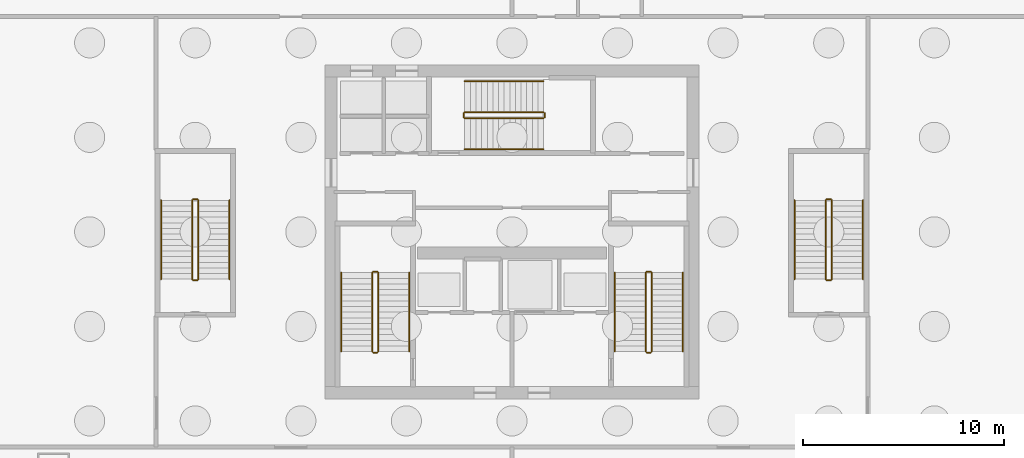
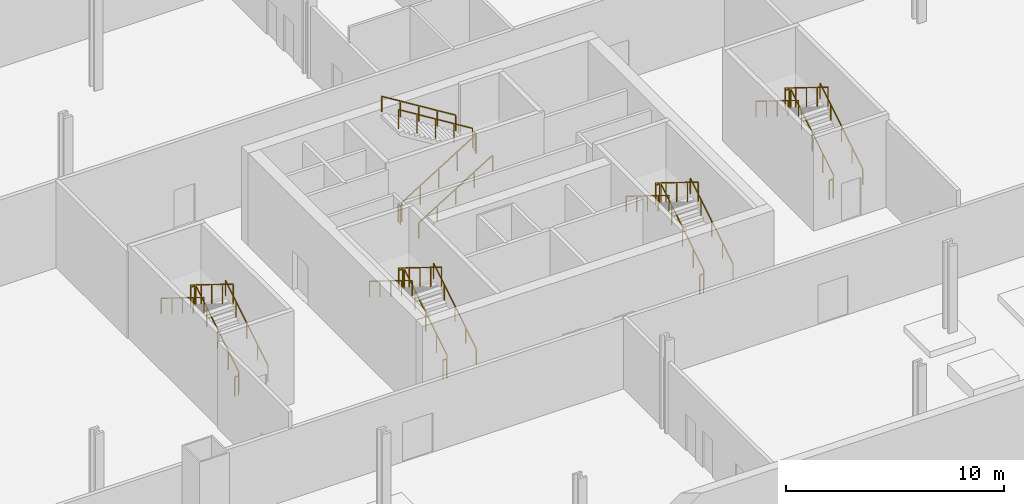
# One storey, part 7 of 8: 30 railings.
"""IFC4 building model written with IfcOpenShell, lengths in metres."""

from ifc_helpers import new_model, si_unit, direction, frame, origin, origin_2d, place, context, subcontext, project, spatial, rectangle, extrude, material, type_object, element, save


model = new_model("IFC4")

# Units and contexts
model_context = context("Model", 3, precision=1e-05, world=origin(), true_north=direction((0.0, 1.0)))
body_context = subcontext(model_context, "Body", "Model", "MODEL_VIEW")
ifc_project = project(units=[si_unit("LENGTHUNIT", "METRE"), si_unit("AREAUNIT", "SQUARE_METRE"), si_unit("VOLUMEUNIT", "CUBIC_METRE"), si_unit("PLANEANGLEUNIT", "RADIAN"), si_unit("MASSUNIT", "GRAM", prefix="KILO")], contexts=[model_context])

# Site, building, storey
site_placement = place(None, origin())
site = spatial("IfcSite", under=ifc_project, at=site_placement, CompositionType="ELEMENT")
building_placement = place(site_placement, origin())
building = spatial("IfcBuilding", under=site, at=building_placement, Name="Haldenkirk Collegiate Tower", CompositionType="ELEMENT")
storey_placement = place(building_placement, frame((0.0, 0.0, -5.199951171875)))
storey = spatial("IfcBuildingStorey", under=building, at=storey_placement, Name="B1", CompositionType="ELEMENT", Elevation=-5.199951171875)

# Railings
ifc_material = material(Name="Painted architectural tubular steel", Category="steel")
railing_type_1 = type_object("IfcRailingType", Name="RLG-STAIR-GUARD-1100", PredefinedType="BALUSTRADE", material=ifc_material)
railing_1_placement = place(storey_placement, frame((29.35009765625, 20.050048828125, 0.17333984375)))
element("IfcRailing", 1, at=railing_1_placement, inside=storey, type_object=railing_type_1, Name="B1 ST-1 stair guard 1", PredefinedType="BALUSTRADE", context=body_context, shape_type="SweptSolid", body=[
    extrude(rectangle(XDim=0.048095703125, YDim=0.048095703125, at=origin_2d()), frame((0.0, 0.0, 1.076171875), z_axis=(0.0, 0.850275303828, 0.526338206574), x_axis=(-1.0, 0.0, 0.0)), (0.0, 0.0, 1.0), 4.610107421875),
    extrude(rectangle(XDim=0.0419921875, YDim=0.0419921875, at=origin_2d()), origin(), (0.0, 0.0, 1.0), 1.052001953125),
    extrude(rectangle(XDim=0.0419921875, YDim=0.0419921875, at=origin_2d()), frame((0.0, 0.97998046875, 0.606689453125)), (0.0, 0.0, 1.0), 1.052001953125),
    extrude(rectangle(XDim=0.0419921875, YDim=0.0419921875, at=origin_2d()), frame((0.0, 1.9599609375, 1.21337890625)), (0.0, 0.0, 1.0), 1.052001953125),
    extrude(rectangle(XDim=0.0419921875, YDim=0.0419921875, at=origin_2d()), frame((0.0, 2.93994140625, 1.81982421875)), (0.0, 0.0, 1.0), 1.052001953125),
    extrude(rectangle(XDim=0.0419921875, YDim=0.0419921875, at=origin_2d()), frame((0.0, 3.919921875, 2.426513671875)), (0.0, 0.0, 1.0), 1.052001953125),
])
railing_2_placement = place(storey_placement, frame((29.300048828125, 24.02001953125, 2.599853515625)))
element("IfcRailing", 2, at=railing_2_placement, inside=storey, type_object=railing_type_1, Name="B1 ST-1 stair guard 2", PredefinedType="BALUSTRADE", context=body_context, shape_type="SweptSolid", body=[
    extrude(rectangle(XDim=0.048095703125, YDim=0.048095703125, at=origin_2d()), frame((0.0, 0.0, 1.076171875), z_axis=(-1.0, 0.0, 0.0), x_axis=(0.0, -1.0, 0.0)), (0.0, 0.0, 1.0), 0.199951171875),
    extrude(rectangle(XDim=0.0419921875, YDim=0.0419921875, at=origin_2d()), origin(), (0.0, 0.0, 1.0), 1.052001953125),
    extrude(rectangle(XDim=0.0419921875, YDim=0.0419921875, at=origin_2d()), frame((-0.199951171875, 0.0, 0.0)), (0.0, 0.0, 1.0), 1.052001953125),
])
railing_3_placement = place(storey_placement, frame((29.050048828125, 23.969970703125, 2.773193359375)))
element("IfcRailing", 3, at=railing_3_placement, inside=storey, type_object=railing_type_1, Name="B1 ST-1 stair guard 3", PredefinedType="BALUSTRADE", context=body_context, shape_type="SweptSolid", body=[
    extrude(rectangle(XDim=0.048095703125, YDim=0.048095703125, at=origin_2d()), frame((0.0, 0.0, 1.076171875), z_axis=(0.0, -0.850251603719, 0.526376491091), x_axis=(1.0, 0.0, 0.0)), (0.0, 0.0, 1.0), 4.6103515625),
    extrude(rectangle(XDim=0.0419921875, YDim=0.0419921875, at=origin_2d()), origin(), (0.0, 0.0, 1.0), 1.052001953125),
    extrude(rectangle(XDim=0.0419921875, YDim=0.0419921875, at=origin_2d()), frame((0.0, -0.97998046875, 0.606689453125)), (0.0, 0.0, 1.0), 1.052001953125),
    extrude(rectangle(XDim=0.0419921875, YDim=0.0419921875, at=origin_2d()), frame((0.0, -1.9599609375, 1.21337890625)), (0.0, 0.0, 1.0), 1.052001953125),
    extrude(rectangle(XDim=0.0419921875, YDim=0.0419921875, at=origin_2d()), frame((0.0, -2.93994140625, 1.820068359375)), (0.0, 0.0, 1.0), 1.052001953125),
    extrude(rectangle(XDim=0.0419921875, YDim=0.0419921875, at=origin_2d()), frame((0.0, -3.919921875, 2.4267578125)), (0.0, 0.0, 1.0), 1.052001953125),
])
railing_4_placement = place(storey_placement, frame((29.300048828125, 20.0, 0.0)))
element("IfcRailing", 4, at=railing_4_placement, inside=storey, type_object=railing_type_1, Name="B1 ST-1 stair guard 4", PredefinedType="BALUSTRADE", context=body_context, shape_type="SweptSolid", body=[
    extrude(rectangle(XDim=0.048095703125, YDim=0.048095703125, at=origin_2d()), frame((0.0, 0.0, 1.076171875), z_axis=(-1.0, 0.0, 0.0), x_axis=(0.0, -1.0, 0.0)), (0.0, 0.0, 1.0), 0.199951171875),
    extrude(rectangle(XDim=0.0419921875, YDim=0.0419921875, at=origin_2d()), origin(), (0.0, 0.0, 1.0), 1.052001953125),
    extrude(rectangle(XDim=0.0419921875, YDim=0.0419921875, at=origin_2d()), frame((-0.199951171875, 0.0, 0.0)), (0.0, 0.0, 1.0), 1.052001953125),
])
railing_5_placement = place(storey_placement, frame((42.949951171875, 20.050048828125, 0.17333984375)))
element("IfcRailing", 5, at=railing_5_placement, inside=storey, type_object=railing_type_1, Name="B1 ST-2 stair guard 1", PredefinedType="BALUSTRADE", context=body_context, shape_type="SweptSolid", body=[
    extrude(rectangle(XDim=0.048095703125, YDim=0.048095703125, at=origin_2d()), frame((0.0, 0.0, 1.076171875), z_axis=(0.0, 0.850275303828, 0.526338206574), x_axis=(-1.0, 0.0, 0.0)), (0.0, 0.0, 1.0), 4.610107421875),
    extrude(rectangle(XDim=0.0419921875, YDim=0.0419921875, at=origin_2d()), origin(), (0.0, 0.0, 1.0), 1.052001953125),
    extrude(rectangle(XDim=0.0419921875, YDim=0.0419921875, at=origin_2d()), frame((0.0, 0.97998046875, 0.606689453125)), (0.0, 0.0, 1.0), 1.052001953125),
    extrude(rectangle(XDim=0.0419921875, YDim=0.0419921875, at=origin_2d()), frame((0.0, 1.9599609375, 1.21337890625)), (0.0, 0.0, 1.0), 1.052001953125),
    extrude(rectangle(XDim=0.0419921875, YDim=0.0419921875, at=origin_2d()), frame((0.0, 2.93994140625, 1.81982421875)), (0.0, 0.0, 1.0), 1.052001953125),
    extrude(rectangle(XDim=0.0419921875, YDim=0.0419921875, at=origin_2d()), frame((0.0, 3.919921875, 2.426513671875)), (0.0, 0.0, 1.0), 1.052001953125),
])
railing_6_placement = place(storey_placement, frame((42.89990234375, 24.02001953125, 2.599853515625)))
element("IfcRailing", 6, at=railing_6_placement, inside=storey, type_object=railing_type_1, Name="B1 ST-2 stair guard 2", PredefinedType="BALUSTRADE", context=body_context, shape_type="SweptSolid", body=[
    extrude(rectangle(XDim=0.048095703125, YDim=0.048095703125, at=origin_2d()), frame((0.0, 0.0, 1.076171875), z_axis=(-1.0, 0.0, 0.0), x_axis=(0.0, -1.0, 0.0)), (0.0, 0.0, 1.0), 0.199951171875),
    extrude(rectangle(XDim=0.0419921875, YDim=0.0419921875, at=origin_2d()), origin(), (0.0, 0.0, 1.0), 1.052001953125),
    extrude(rectangle(XDim=0.0419921875, YDim=0.0419921875, at=origin_2d()), frame((-0.199951171875, 0.0, 0.0)), (0.0, 0.0, 1.0), 1.052001953125),
])
railing_7_placement = place(storey_placement, frame((42.64990234375, 23.969970703125, 2.773193359375)))
element("IfcRailing", 7, at=railing_7_placement, inside=storey, type_object=railing_type_1, Name="B1 ST-2 stair guard 3", PredefinedType="BALUSTRADE", context=body_context, shape_type="SweptSolid", body=[
    extrude(rectangle(XDim=0.048095703125, YDim=0.048095703125, at=origin_2d()), frame((0.0, 0.0, 1.076171875), z_axis=(0.0, -0.850251603719, 0.526376491091), x_axis=(1.0, 0.0, 0.0)), (0.0, 0.0, 1.0), 4.6103515625),
    extrude(rectangle(XDim=0.0419921875, YDim=0.0419921875, at=origin_2d()), origin(), (0.0, 0.0, 1.0), 1.052001953125),
    extrude(rectangle(XDim=0.0419921875, YDim=0.0419921875, at=origin_2d()), frame((0.0, -0.97998046875, 0.606689453125)), (0.0, 0.0, 1.0), 1.052001953125),
    extrude(rectangle(XDim=0.0419921875, YDim=0.0419921875, at=origin_2d()), frame((0.0, -1.9599609375, 1.21337890625)), (0.0, 0.0, 1.0), 1.052001953125),
    extrude(rectangle(XDim=0.0419921875, YDim=0.0419921875, at=origin_2d()), frame((0.0, -2.93994140625, 1.820068359375)), (0.0, 0.0, 1.0), 1.052001953125),
    extrude(rectangle(XDim=0.0419921875, YDim=0.0419921875, at=origin_2d()), frame((0.0, -3.919921875, 2.4267578125)), (0.0, 0.0, 1.0), 1.052001953125),
])
railing_8_placement = place(storey_placement, frame((42.89990234375, 20.0, 0.0)))
element("IfcRailing", 8, at=railing_8_placement, inside=storey, type_object=railing_type_1, Name="B1 ST-2 stair guard 4", PredefinedType="BALUSTRADE", context=body_context, shape_type="SweptSolid", body=[
    extrude(rectangle(XDim=0.048095703125, YDim=0.048095703125, at=origin_2d()), frame((0.0, 0.0, 1.076171875), z_axis=(-1.0, 0.0, 0.0), x_axis=(0.0, -1.0, 0.0)), (0.0, 0.0, 1.0), 0.199951171875),
    extrude(rectangle(XDim=0.0419921875, YDim=0.0419921875, at=origin_2d()), origin(), (0.0, 0.0, 1.0), 1.052001953125),
    extrude(rectangle(XDim=0.0419921875, YDim=0.0419921875, at=origin_2d()), frame((-0.199951171875, 0.0, 0.0)), (0.0, 0.0, 1.0), 1.052001953125),
])
railing_9_placement = place(storey_placement, frame((33.64990234375, 31.64990234375, 0.17333984375)))
element("IfcRailing", 9, at=railing_9_placement, inside=storey, type_object=railing_type_1, Name="B1 ST-3 stair guard 1", PredefinedType="BALUSTRADE", context=body_context, shape_type="SweptSolid", body=[
    extrude(rectangle(XDim=0.048095703125, YDim=0.048095703125, at=origin_2d()), frame((0.0, 0.0, 1.076171875), z_axis=(0.850289973577, 0.0, 0.526314507528), x_axis=(0.0, 1.0, 0.0)), (0.0, 0.0, 1.0), 4.6103515625),
    extrude(rectangle(XDim=0.0419921875, YDim=0.0419921875, at=origin_2d()), origin(), (0.0, 0.0, 1.0), 1.052001953125),
    extrude(rectangle(XDim=0.0419921875, YDim=0.0419921875, at=origin_2d()), frame((0.97998046875, 0.0, 0.606689453125)), (0.0, 0.0, 1.0), 1.052001953125),
    extrude(rectangle(XDim=0.0419921875, YDim=0.0419921875, at=origin_2d()), frame((1.9599609375, 0.0, 1.21337890625)), (0.0, 0.0, 1.0), 1.052001953125),
    extrude(rectangle(XDim=0.0419921875, YDim=0.0419921875, at=origin_2d()), frame((2.940185546875, 0.0, 1.81982421875)), (0.0, 0.0, 1.0), 1.052001953125),
    extrude(rectangle(XDim=0.0419921875, YDim=0.0419921875, at=origin_2d()), frame((3.920166015625, 0.0, 2.426513671875)), (0.0, 0.0, 1.0), 1.052001953125),
])
railing_10_placement = place(storey_placement, frame((37.6201171875, 31.699951171875, 2.599853515625)))
element("IfcRailing", 10, at=railing_10_placement, inside=storey, type_object=railing_type_1, Name="B1 ST-3 stair guard 2", PredefinedType="BALUSTRADE", context=body_context, shape_type="SweptSolid", body=[
    extrude(rectangle(XDim=0.048095703125, YDim=0.048095703125, at=origin_2d()), frame((0.0, 0.0, 1.076171875), z_axis=(0.0, 1.0, 0.0), x_axis=(-1.0, 0.0, 0.0)), (0.0, 0.0, 1.0), 0.199951171875),
    extrude(rectangle(XDim=0.0419921875, YDim=0.0419921875, at=origin_2d()), origin(), (0.0, 0.0, 1.0), 1.052001953125),
    extrude(rectangle(XDim=0.0419921875, YDim=0.0419921875, at=origin_2d()), frame((0.0, 0.199951171875, 0.0)), (0.0, 0.0, 1.0), 1.052001953125),
])
railing_11_placement = place(storey_placement, frame((37.570068359375, 31.949951171875, 2.773193359375)))
element("IfcRailing", 11, at=railing_11_placement, inside=storey, type_object=railing_type_1, Name="B1 ST-3 stair guard 3", PredefinedType="BALUSTRADE", context=body_context, shape_type="SweptSolid", body=[
    extrude(rectangle(XDim=0.048095703125, YDim=0.048095703125, at=origin_2d()), frame((0.0, 0.0, 1.076171875), z_axis=(-0.850266275192, 0.0, 0.526352791643), x_axis=(0.0, -1.0, 0.0)), (0.0, 0.0, 1.0), 4.610595703125),
    extrude(rectangle(XDim=0.0419921875, YDim=0.0419921875, at=origin_2d()), origin(), (0.0, 0.0, 1.0), 1.052001953125),
    extrude(rectangle(XDim=0.0419921875, YDim=0.0419921875, at=origin_2d()), frame((-0.97998046875, 0.0, 0.606689453125)), (0.0, 0.0, 1.0), 1.052001953125),
    extrude(rectangle(XDim=0.0419921875, YDim=0.0419921875, at=origin_2d()), frame((-1.9599609375, 0.0, 1.21337890625)), (0.0, 0.0, 1.0), 1.052001953125),
    extrude(rectangle(XDim=0.0419921875, YDim=0.0419921875, at=origin_2d()), frame((-2.940185546875, 0.0, 1.820068359375)), (0.0, 0.0, 1.0), 1.052001953125),
    extrude(rectangle(XDim=0.0419921875, YDim=0.0419921875, at=origin_2d()), frame((-3.920166015625, 0.0, 2.4267578125)), (0.0, 0.0, 1.0), 1.052001953125),
])
railing_12_placement = place(storey_placement, frame((33.60009765625, 31.699951171875, 0.0)))
element("IfcRailing", 12, at=railing_12_placement, inside=storey, type_object=railing_type_1, Name="B1 ST-3 stair guard 4", PredefinedType="BALUSTRADE", context=body_context, shape_type="SweptSolid", body=[
    extrude(rectangle(XDim=0.048095703125, YDim=0.048095703125, at=origin_2d()), frame((0.0, 0.0, 1.076171875), z_axis=(0.0, 1.0, 0.0), x_axis=(-1.0, 0.0, 0.0)), (0.0, 0.0, 1.0), 0.199951171875),
    extrude(rectangle(XDim=0.0419921875, YDim=0.0419921875, at=origin_2d()), origin(), (0.0, 0.0, 1.0), 1.052001953125),
    extrude(rectangle(XDim=0.0419921875, YDim=0.0419921875, at=origin_2d()), frame((0.0, 0.199951171875, 0.0)), (0.0, 0.0, 1.0), 1.052001953125),
])
railing_13_placement = place(storey_placement, frame((20.39990234375, 23.64990234375, 0.17333984375)))
element("IfcRailing", 13, at=railing_13_placement, inside=storey, type_object=railing_type_1, Name="B1 ST-4 stair guard 1", PredefinedType="BALUSTRADE", context=body_context, shape_type="SweptSolid", body=[
    extrude(rectangle(XDim=0.048095703125, YDim=0.048095703125, at=origin_2d()), frame((0.0, 0.0, 1.076171875), z_axis=(0.0, 0.850289973577, 0.526314507528), x_axis=(-1.0, 0.0, 0.0)), (0.0, 0.0, 1.0), 4.6103515625),
    extrude(rectangle(XDim=0.0419921875, YDim=0.0419921875, at=origin_2d()), origin(), (0.0, 0.0, 1.0), 1.052001953125),
    extrude(rectangle(XDim=0.0419921875, YDim=0.0419921875, at=origin_2d()), frame((0.0, 0.97998046875, 0.606689453125)), (0.0, 0.0, 1.0), 1.052001953125),
    extrude(rectangle(XDim=0.0419921875, YDim=0.0419921875, at=origin_2d()), frame((0.0, 1.9599609375, 1.21337890625)), (0.0, 0.0, 1.0), 1.052001953125),
    extrude(rectangle(XDim=0.0419921875, YDim=0.0419921875, at=origin_2d()), frame((0.0, 2.940185546875, 1.81982421875)), (0.0, 0.0, 1.0), 1.052001953125),
    extrude(rectangle(XDim=0.0419921875, YDim=0.0419921875, at=origin_2d()), frame((0.0, 3.920166015625, 2.426513671875)), (0.0, 0.0, 1.0), 1.052001953125),
])
railing_14_placement = place(storey_placement, frame((20.35009765625, 27.6201171875, 2.599853515625)))
element("IfcRailing", 14, at=railing_14_placement, inside=storey, type_object=railing_type_1, Name="B1 ST-4 stair guard 2", PredefinedType="BALUSTRADE", context=body_context, shape_type="SweptSolid", body=[
    extrude(rectangle(XDim=0.048095703125, YDim=0.048095703125, at=origin_2d()), frame((0.0, 0.0, 1.076171875), z_axis=(-1.0, 0.0, 0.0), x_axis=(0.0, -1.0, 0.0)), (0.0, 0.0, 1.0), 0.2001953125),
    extrude(rectangle(XDim=0.0419921875, YDim=0.0419921875, at=origin_2d()), origin(), (0.0, 0.0, 1.0), 1.052001953125),
    extrude(rectangle(XDim=0.0419921875, YDim=0.0419921875, at=origin_2d()), frame((-0.2001953125, 0.0, 0.0)), (0.0, 0.0, 1.0), 1.052001953125),
])
railing_15_placement = place(storey_placement, frame((20.10009765625, 27.570068359375, 2.773193359375)))
element("IfcRailing", 15, at=railing_15_placement, inside=storey, type_object=railing_type_1, Name="B1 ST-4 stair guard 3", PredefinedType="BALUSTRADE", context=body_context, shape_type="SweptSolid", body=[
    extrude(rectangle(XDim=0.048095703125, YDim=0.048095703125, at=origin_2d()), frame((0.0, 0.0, 1.076171875), z_axis=(0.0, -0.850266275192, 0.526352791643), x_axis=(1.0, 0.0, 0.0)), (0.0, 0.0, 1.0), 4.610595703125),
    extrude(rectangle(XDim=0.0419921875, YDim=0.0419921875, at=origin_2d()), origin(), (0.0, 0.0, 1.0), 1.052001953125),
    extrude(rectangle(XDim=0.0419921875, YDim=0.0419921875, at=origin_2d()), frame((0.0, -0.97998046875, 0.606689453125)), (0.0, 0.0, 1.0), 1.052001953125),
    extrude(rectangle(XDim=0.0419921875, YDim=0.0419921875, at=origin_2d()), frame((0.0, -1.9599609375, 1.21337890625)), (0.0, 0.0, 1.0), 1.052001953125),
    extrude(rectangle(XDim=0.0419921875, YDim=0.0419921875, at=origin_2d()), frame((0.0, -2.940185546875, 1.820068359375)), (0.0, 0.0, 1.0), 1.052001953125),
    extrude(rectangle(XDim=0.0419921875, YDim=0.0419921875, at=origin_2d()), frame((0.0, -3.920166015625, 2.4267578125)), (0.0, 0.0, 1.0), 1.052001953125),
])
railing_16_placement = place(storey_placement, frame((20.35009765625, 23.60009765625, 0.0)))
element("IfcRailing", 16, at=railing_16_placement, inside=storey, type_object=railing_type_1, Name="B1 ST-4 stair guard 4", PredefinedType="BALUSTRADE", context=body_context, shape_type="SweptSolid", body=[
    extrude(rectangle(XDim=0.048095703125, YDim=0.048095703125, at=origin_2d()), frame((0.0, 0.0, 1.076171875), z_axis=(-1.0, 0.0, 0.0), x_axis=(0.0, -1.0, 0.0)), (0.0, 0.0, 1.0), 0.2001953125),
    extrude(rectangle(XDim=0.0419921875, YDim=0.0419921875, at=origin_2d()), origin(), (0.0, 0.0, 1.0), 1.052001953125),
    extrude(rectangle(XDim=0.0419921875, YDim=0.0419921875, at=origin_2d()), frame((-0.2001953125, 0.0, 0.0)), (0.0, 0.0, 1.0), 1.052001953125),
])
railing_17_placement = place(storey_placement, frame((51.89990234375, 23.64990234375, 0.17333984375)))
element("IfcRailing", 17, at=railing_17_placement, inside=storey, type_object=railing_type_1, Name="B1 ST-5 stair guard 1", PredefinedType="BALUSTRADE", context=body_context, shape_type="SweptSolid", body=[
    extrude(rectangle(XDim=0.048095703125, YDim=0.048095703125, at=origin_2d()), frame((0.0, 0.0, 1.076171875), z_axis=(0.0, 0.850289973577, 0.526314507528), x_axis=(-1.0, 0.0, 0.0)), (0.0, 0.0, 1.0), 4.6103515625),
    extrude(rectangle(XDim=0.0419921875, YDim=0.0419921875, at=origin_2d()), origin(), (0.0, 0.0, 1.0), 1.052001953125),
    extrude(rectangle(XDim=0.0419921875, YDim=0.0419921875, at=origin_2d()), frame((0.0, 0.97998046875, 0.606689453125)), (0.0, 0.0, 1.0), 1.052001953125),
    extrude(rectangle(XDim=0.0419921875, YDim=0.0419921875, at=origin_2d()), frame((0.0, 1.9599609375, 1.21337890625)), (0.0, 0.0, 1.0), 1.052001953125),
    extrude(rectangle(XDim=0.0419921875, YDim=0.0419921875, at=origin_2d()), frame((0.0, 2.940185546875, 1.81982421875)), (0.0, 0.0, 1.0), 1.052001953125),
    extrude(rectangle(XDim=0.0419921875, YDim=0.0419921875, at=origin_2d()), frame((0.0, 3.920166015625, 2.426513671875)), (0.0, 0.0, 1.0), 1.052001953125),
])
railing_18_placement = place(storey_placement, frame((51.85009765625, 27.6201171875, 2.599853515625)))
element("IfcRailing", 18, at=railing_18_placement, inside=storey, type_object=railing_type_1, Name="B1 ST-5 stair guard 2", PredefinedType="BALUSTRADE", context=body_context, shape_type="SweptSolid", body=[
    extrude(rectangle(XDim=0.048095703125, YDim=0.048095703125, at=origin_2d()), frame((0.0, 0.0, 1.076171875), z_axis=(-1.0, 0.0, 0.0), x_axis=(0.0, -1.0, 0.0)), (0.0, 0.0, 1.0), 0.2001953125),
    extrude(rectangle(XDim=0.0419921875, YDim=0.0419921875, at=origin_2d()), origin(), (0.0, 0.0, 1.0), 1.052001953125),
    extrude(rectangle(XDim=0.0419921875, YDim=0.0419921875, at=origin_2d()), frame((-0.2001953125, 0.0, 0.0)), (0.0, 0.0, 1.0), 1.052001953125),
])
railing_19_placement = place(storey_placement, frame((51.60009765625, 27.570068359375, 2.773193359375)))
element("IfcRailing", 19, at=railing_19_placement, inside=storey, type_object=railing_type_1, Name="B1 ST-5 stair guard 3", PredefinedType="BALUSTRADE", context=body_context, shape_type="SweptSolid", body=[
    extrude(rectangle(XDim=0.048095703125, YDim=0.048095703125, at=origin_2d()), frame((0.0, 0.0, 1.076171875), z_axis=(0.0, -0.850266275192, 0.526352791643), x_axis=(1.0, 0.0, 0.0)), (0.0, 0.0, 1.0), 4.610595703125),
    extrude(rectangle(XDim=0.0419921875, YDim=0.0419921875, at=origin_2d()), origin(), (0.0, 0.0, 1.0), 1.052001953125),
    extrude(rectangle(XDim=0.0419921875, YDim=0.0419921875, at=origin_2d()), frame((0.0, -0.97998046875, 0.606689453125)), (0.0, 0.0, 1.0), 1.052001953125),
    extrude(rectangle(XDim=0.0419921875, YDim=0.0419921875, at=origin_2d()), frame((0.0, -1.9599609375, 1.21337890625)), (0.0, 0.0, 1.0), 1.052001953125),
    extrude(rectangle(XDim=0.0419921875, YDim=0.0419921875, at=origin_2d()), frame((0.0, -2.940185546875, 1.820068359375)), (0.0, 0.0, 1.0), 1.052001953125),
    extrude(rectangle(XDim=0.0419921875, YDim=0.0419921875, at=origin_2d()), frame((0.0, -3.920166015625, 2.4267578125)), (0.0, 0.0, 1.0), 1.052001953125),
])
railing_20_placement = place(storey_placement, frame((51.85009765625, 23.60009765625, 0.0)))
element("IfcRailing", 20, at=railing_20_placement, inside=storey, type_object=railing_type_1, Name="B1 ST-5 stair guard 4", PredefinedType="BALUSTRADE", context=body_context, shape_type="SweptSolid", body=[
    extrude(rectangle(XDim=0.048095703125, YDim=0.048095703125, at=origin_2d()), frame((0.0, 0.0, 1.076171875), z_axis=(-1.0, 0.0, 0.0), x_axis=(0.0, -1.0, 0.0)), (0.0, 0.0, 1.0), 0.2001953125),
    extrude(rectangle(XDim=0.0419921875, YDim=0.0419921875, at=origin_2d()), origin(), (0.0, 0.0, 1.0), 1.052001953125),
    extrude(rectangle(XDim=0.0419921875, YDim=0.0419921875, at=origin_2d()), frame((-0.2001953125, 0.0, 0.0)), (0.0, 0.0, 1.0), 1.052001953125),
])
railing_type_2 = type_object("IfcRailingType", Name="RLG-STAIR-HANDRAIL-900", PredefinedType="HANDRAIL", material=ifc_material)
railing_21_placement = place(storey_placement, frame((30.89990234375, 20.050048828125, 0.17333984375)))
element("IfcRailing", 21, at=railing_21_placement, inside=storey, type_object=railing_type_2, Name="B1 ST-1 stair handrail 1", PredefinedType="HANDRAIL", context=body_context, shape_type="SweptSolid", body=[
    extrude(rectangle(XDim=0.048095703125, YDim=0.048095703125, at=origin_2d()), frame((0.0, 0.0, 0.8759765625), z_axis=(0.0, 0.850275303828, 0.526338206574), x_axis=(-1.0, 0.0, 0.0)), (0.0, 0.0, 1.0), 4.610107421875),
    extrude(rectangle(XDim=0.0419921875, YDim=0.0419921875, at=origin_2d()), origin(), (0.0, 0.0, 1.0), 0.851806640625),
    extrude(rectangle(XDim=0.0419921875, YDim=0.0419921875, at=origin_2d()), frame((0.0, 0.97998046875, 0.606689453125)), (0.0, 0.0, 1.0), 0.851806640625),
    extrude(rectangle(XDim=0.0419921875, YDim=0.0419921875, at=origin_2d()), frame((0.0, 1.9599609375, 1.21337890625)), (0.0, 0.0, 1.0), 0.851806640625),
    extrude(rectangle(XDim=0.0419921875, YDim=0.0419921875, at=origin_2d()), frame((0.0, 2.93994140625, 1.81982421875)), (0.0, 0.0, 1.0), 0.851806640625),
    extrude(rectangle(XDim=0.0419921875, YDim=0.0419921875, at=origin_2d()), frame((0.0, 3.919921875, 2.426513671875)), (0.0, 0.0, 1.0), 0.851806640625),
])
railing_22_placement = place(storey_placement, frame((27.5, 23.969970703125, 2.773193359375)))
element("IfcRailing", 22, at=railing_22_placement, inside=storey, type_object=railing_type_2, Name="B1 ST-1 stair handrail 2", PredefinedType="HANDRAIL", context=body_context, shape_type="SweptSolid", body=[
    extrude(rectangle(XDim=0.048095703125, YDim=0.048095703125, at=origin_2d()), frame((0.0, 0.0, 0.8759765625), z_axis=(0.0, -0.850251603719, 0.526376491091), x_axis=(1.0, 0.0, 0.0)), (0.0, 0.0, 1.0), 4.6103515625),
    extrude(rectangle(XDim=0.0419921875, YDim=0.0419921875, at=origin_2d()), origin(), (0.0, 0.0, 1.0), 0.851806640625),
    extrude(rectangle(XDim=0.0419921875, YDim=0.0419921875, at=origin_2d()), frame((0.0, -0.97998046875, 0.606689453125)), (0.0, 0.0, 1.0), 0.851806640625),
    extrude(rectangle(XDim=0.0419921875, YDim=0.0419921875, at=origin_2d()), frame((0.0, -1.9599609375, 1.21337890625)), (0.0, 0.0, 1.0), 0.851806640625),
    extrude(rectangle(XDim=0.0419921875, YDim=0.0419921875, at=origin_2d()), frame((0.0, -2.93994140625, 1.820068359375)), (0.0, 0.0, 1.0), 0.851806640625),
    extrude(rectangle(XDim=0.0419921875, YDim=0.0419921875, at=origin_2d()), frame((0.0, -3.919921875, 2.4267578125)), (0.0, 0.0, 1.0), 0.851806640625),
])
railing_23_placement = place(storey_placement, frame((44.5, 20.050048828125, 0.17333984375)))
element("IfcRailing", 23, at=railing_23_placement, inside=storey, type_object=railing_type_2, Name="B1 ST-2 stair handrail 1", PredefinedType="HANDRAIL", context=body_context, shape_type="SweptSolid", body=[
    extrude(rectangle(XDim=0.048095703125, YDim=0.048095703125, at=origin_2d()), frame((0.0, 0.0, 0.8759765625), z_axis=(0.0, 0.850275303828, 0.526338206574), x_axis=(-1.0, 0.0, 0.0)), (0.0, 0.0, 1.0), 4.610107421875),
    extrude(rectangle(XDim=0.0419921875, YDim=0.0419921875, at=origin_2d()), origin(), (0.0, 0.0, 1.0), 0.851806640625),
    extrude(rectangle(XDim=0.0419921875, YDim=0.0419921875, at=origin_2d()), frame((0.0, 0.97998046875, 0.606689453125)), (0.0, 0.0, 1.0), 0.851806640625),
    extrude(rectangle(XDim=0.0419921875, YDim=0.0419921875, at=origin_2d()), frame((0.0, 1.9599609375, 1.21337890625)), (0.0, 0.0, 1.0), 0.851806640625),
    extrude(rectangle(XDim=0.0419921875, YDim=0.0419921875, at=origin_2d()), frame((0.0, 2.93994140625, 1.81982421875)), (0.0, 0.0, 1.0), 0.851806640625),
    extrude(rectangle(XDim=0.0419921875, YDim=0.0419921875, at=origin_2d()), frame((0.0, 3.919921875, 2.426513671875)), (0.0, 0.0, 1.0), 0.851806640625),
])
railing_24_placement = place(storey_placement, frame((41.10009765625, 23.969970703125, 2.773193359375)))
element("IfcRailing", 24, at=railing_24_placement, inside=storey, type_object=railing_type_2, Name="B1 ST-2 stair handrail 2", PredefinedType="HANDRAIL", context=body_context, shape_type="SweptSolid", body=[
    extrude(rectangle(XDim=0.048095703125, YDim=0.048095703125, at=origin_2d()), frame((0.0, 0.0, 0.8759765625), z_axis=(0.0, -0.850251603719, 0.526376491091), x_axis=(1.0, 0.0, 0.0)), (0.0, 0.0, 1.0), 4.6103515625),
    extrude(rectangle(XDim=0.0419921875, YDim=0.0419921875, at=origin_2d()), origin(), (0.0, 0.0, 1.0), 0.851806640625),
    extrude(rectangle(XDim=0.0419921875, YDim=0.0419921875, at=origin_2d()), frame((0.0, -0.97998046875, 0.606689453125)), (0.0, 0.0, 1.0), 0.851806640625),
    extrude(rectangle(XDim=0.0419921875, YDim=0.0419921875, at=origin_2d()), frame((0.0, -1.9599609375, 1.21337890625)), (0.0, 0.0, 1.0), 0.851806640625),
    extrude(rectangle(XDim=0.0419921875, YDim=0.0419921875, at=origin_2d()), frame((0.0, -2.93994140625, 1.820068359375)), (0.0, 0.0, 1.0), 0.851806640625),
    extrude(rectangle(XDim=0.0419921875, YDim=0.0419921875, at=origin_2d()), frame((0.0, -3.919921875, 2.4267578125)), (0.0, 0.0, 1.0), 0.851806640625),
])
railing_25_placement = place(storey_placement, frame((33.64990234375, 30.10009765625, 0.17333984375)))
element("IfcRailing", 25, at=railing_25_placement, inside=storey, type_object=railing_type_2, Name="B1 ST-3 stair handrail 1", PredefinedType="HANDRAIL", context=body_context, shape_type="SweptSolid", body=[
    extrude(rectangle(XDim=0.048095703125, YDim=0.048095703125, at=origin_2d()), frame((0.0, 0.0, 0.8759765625), z_axis=(0.850289973577, 0.0, 0.526314507528), x_axis=(0.0, 1.0, 0.0)), (0.0, 0.0, 1.0), 4.6103515625),
    extrude(rectangle(XDim=0.0419921875, YDim=0.0419921875, at=origin_2d()), origin(), (0.0, 0.0, 1.0), 0.851806640625),
    extrude(rectangle(XDim=0.0419921875, YDim=0.0419921875, at=origin_2d()), frame((0.97998046875, 0.0, 0.606689453125)), (0.0, 0.0, 1.0), 0.851806640625),
    extrude(rectangle(XDim=0.0419921875, YDim=0.0419921875, at=origin_2d()), frame((1.9599609375, 0.0, 1.21337890625)), (0.0, 0.0, 1.0), 0.851806640625),
    extrude(rectangle(XDim=0.0419921875, YDim=0.0419921875, at=origin_2d()), frame((2.940185546875, 0.0, 1.81982421875)), (0.0, 0.0, 1.0), 0.851806640625),
    extrude(rectangle(XDim=0.0419921875, YDim=0.0419921875, at=origin_2d()), frame((3.920166015625, 0.0, 2.426513671875)), (0.0, 0.0, 1.0), 0.851806640625),
])
railing_26_placement = place(storey_placement, frame((37.570068359375, 33.5, 2.773193359375)))
element("IfcRailing", 26, at=railing_26_placement, inside=storey, type_object=railing_type_2, Name="B1 ST-3 stair handrail 2", PredefinedType="HANDRAIL", context=body_context, shape_type="SweptSolid", body=[
    extrude(rectangle(XDim=0.048095703125, YDim=0.048095703125, at=origin_2d()), frame((0.0, 0.0, 0.8759765625), z_axis=(-0.850266275192, 0.0, 0.526352791643), x_axis=(0.0, -1.0, 0.0)), (0.0, 0.0, 1.0), 4.610595703125),
    extrude(rectangle(XDim=0.0419921875, YDim=0.0419921875, at=origin_2d()), origin(), (0.0, 0.0, 1.0), 0.851806640625),
    extrude(rectangle(XDim=0.0419921875, YDim=0.0419921875, at=origin_2d()), frame((-0.97998046875, 0.0, 0.606689453125)), (0.0, 0.0, 1.0), 0.851806640625),
    extrude(rectangle(XDim=0.0419921875, YDim=0.0419921875, at=origin_2d()), frame((-1.9599609375, 0.0, 1.21337890625)), (0.0, 0.0, 1.0), 0.851806640625),
    extrude(rectangle(XDim=0.0419921875, YDim=0.0419921875, at=origin_2d()), frame((-2.940185546875, 0.0, 1.820068359375)), (0.0, 0.0, 1.0), 0.851806640625),
    extrude(rectangle(XDim=0.0419921875, YDim=0.0419921875, at=origin_2d()), frame((-3.920166015625, 0.0, 2.4267578125)), (0.0, 0.0, 1.0), 0.851806640625),
])
railing_27_placement = place(storey_placement, frame((21.949951171875, 23.64990234375, 0.17333984375)))
element("IfcRailing", 27, at=railing_27_placement, inside=storey, type_object=railing_type_2, Name="B1 ST-4 stair handrail 1", PredefinedType="HANDRAIL", context=body_context, shape_type="SweptSolid", body=[
    extrude(rectangle(XDim=0.048095703125, YDim=0.048095703125, at=origin_2d()), frame((0.0, 0.0, 0.8759765625), z_axis=(0.0, 0.850289973577, 0.526314507528), x_axis=(-1.0, 0.0, 0.0)), (0.0, 0.0, 1.0), 4.6103515625),
    extrude(rectangle(XDim=0.0419921875, YDim=0.0419921875, at=origin_2d()), origin(), (0.0, 0.0, 1.0), 0.851806640625),
    extrude(rectangle(XDim=0.0419921875, YDim=0.0419921875, at=origin_2d()), frame((0.0, 0.97998046875, 0.606689453125)), (0.0, 0.0, 1.0), 0.851806640625),
    extrude(rectangle(XDim=0.0419921875, YDim=0.0419921875, at=origin_2d()), frame((0.0, 1.9599609375, 1.21337890625)), (0.0, 0.0, 1.0), 0.851806640625),
    extrude(rectangle(XDim=0.0419921875, YDim=0.0419921875, at=origin_2d()), frame((0.0, 2.940185546875, 1.81982421875)), (0.0, 0.0, 1.0), 0.851806640625),
    extrude(rectangle(XDim=0.0419921875, YDim=0.0419921875, at=origin_2d()), frame((0.0, 3.920166015625, 2.426513671875)), (0.0, 0.0, 1.0), 0.851806640625),
])
railing_28_placement = place(storey_placement, frame((18.550048828125, 27.570068359375, 2.773193359375)))
element("IfcRailing", 28, at=railing_28_placement, inside=storey, type_object=railing_type_2, Name="B1 ST-4 stair handrail 2", PredefinedType="HANDRAIL", context=body_context, shape_type="SweptSolid", body=[
    extrude(rectangle(XDim=0.048095703125, YDim=0.048095703125, at=origin_2d()), frame((0.0, 0.0, 0.8759765625), z_axis=(0.0, -0.850266275192, 0.526352791643), x_axis=(1.0, 0.0, 0.0)), (0.0, 0.0, 1.0), 4.610595703125),
    extrude(rectangle(XDim=0.0419921875, YDim=0.0419921875, at=origin_2d()), origin(), (0.0, 0.0, 1.0), 0.851806640625),
    extrude(rectangle(XDim=0.0419921875, YDim=0.0419921875, at=origin_2d()), frame((0.0, -0.97998046875, 0.606689453125)), (0.0, 0.0, 1.0), 0.851806640625),
    extrude(rectangle(XDim=0.0419921875, YDim=0.0419921875, at=origin_2d()), frame((0.0, -1.9599609375, 1.21337890625)), (0.0, 0.0, 1.0), 0.851806640625),
    extrude(rectangle(XDim=0.0419921875, YDim=0.0419921875, at=origin_2d()), frame((0.0, -2.940185546875, 1.820068359375)), (0.0, 0.0, 1.0), 0.851806640625),
    extrude(rectangle(XDim=0.0419921875, YDim=0.0419921875, at=origin_2d()), frame((0.0, -3.920166015625, 2.4267578125)), (0.0, 0.0, 1.0), 0.851806640625),
])
railing_29_placement = place(storey_placement, frame((53.449951171875, 23.64990234375, 0.17333984375)))
element("IfcRailing", 29, at=railing_29_placement, inside=storey, type_object=railing_type_2, Name="B1 ST-5 stair handrail 1", PredefinedType="HANDRAIL", context=body_context, shape_type="SweptSolid", body=[
    extrude(rectangle(XDim=0.048095703125, YDim=0.048095703125, at=origin_2d()), frame((0.0, 0.0, 0.8759765625), z_axis=(0.0, 0.850289973577, 0.526314507528), x_axis=(-1.0, 0.0, 0.0)), (0.0, 0.0, 1.0), 4.6103515625),
    extrude(rectangle(XDim=0.0419921875, YDim=0.0419921875, at=origin_2d()), origin(), (0.0, 0.0, 1.0), 0.851806640625),
    extrude(rectangle(XDim=0.0419921875, YDim=0.0419921875, at=origin_2d()), frame((0.0, 0.97998046875, 0.606689453125)), (0.0, 0.0, 1.0), 0.851806640625),
    extrude(rectangle(XDim=0.0419921875, YDim=0.0419921875, at=origin_2d()), frame((0.0, 1.9599609375, 1.21337890625)), (0.0, 0.0, 1.0), 0.851806640625),
    extrude(rectangle(XDim=0.0419921875, YDim=0.0419921875, at=origin_2d()), frame((0.0, 2.940185546875, 1.81982421875)), (0.0, 0.0, 1.0), 0.851806640625),
    extrude(rectangle(XDim=0.0419921875, YDim=0.0419921875, at=origin_2d()), frame((0.0, 3.920166015625, 2.426513671875)), (0.0, 0.0, 1.0), 0.851806640625),
])
railing_30_placement = place(storey_placement, frame((50.050048828125, 27.570068359375, 2.773193359375)))
element("IfcRailing", 30, at=railing_30_placement, inside=storey, type_object=railing_type_2, Name="B1 ST-5 stair handrail 2", PredefinedType="HANDRAIL", context=body_context, shape_type="SweptSolid", body=[
    extrude(rectangle(XDim=0.048095703125, YDim=0.048095703125, at=origin_2d()), frame((0.0, 0.0, 0.8759765625), z_axis=(0.0, -0.850266275192, 0.526352791643), x_axis=(1.0, 0.0, 0.0)), (0.0, 0.0, 1.0), 4.610595703125),
    extrude(rectangle(XDim=0.0419921875, YDim=0.0419921875, at=origin_2d()), origin(), (0.0, 0.0, 1.0), 0.851806640625),
    extrude(rectangle(XDim=0.0419921875, YDim=0.0419921875, at=origin_2d()), frame((0.0, -0.97998046875, 0.606689453125)), (0.0, 0.0, 1.0), 0.851806640625),
    extrude(rectangle(XDim=0.0419921875, YDim=0.0419921875, at=origin_2d()), frame((0.0, -1.9599609375, 1.21337890625)), (0.0, 0.0, 1.0), 0.851806640625),
    extrude(rectangle(XDim=0.0419921875, YDim=0.0419921875, at=origin_2d()), frame((0.0, -2.940185546875, 1.820068359375)), (0.0, 0.0, 1.0), 0.851806640625),
    extrude(rectangle(XDim=0.0419921875, YDim=0.0419921875, at=origin_2d()), frame((0.0, -3.920166015625, 2.4267578125)), (0.0, 0.0, 1.0), 0.851806640625),
])

save(model, "model.ifc")
